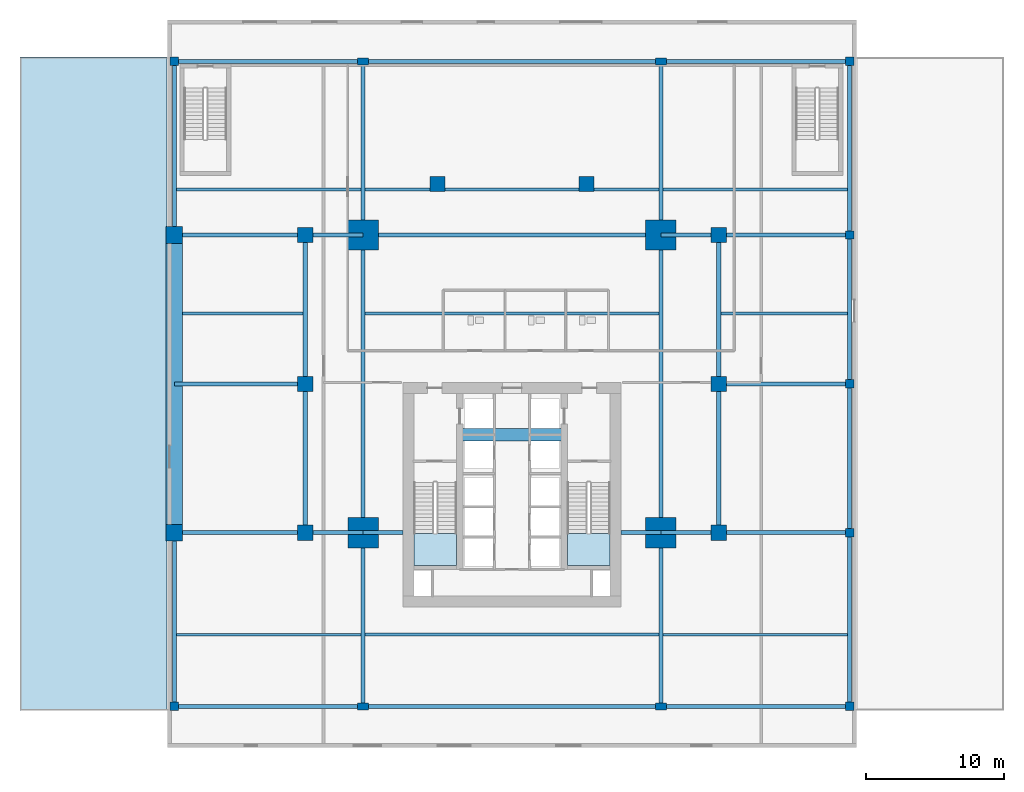
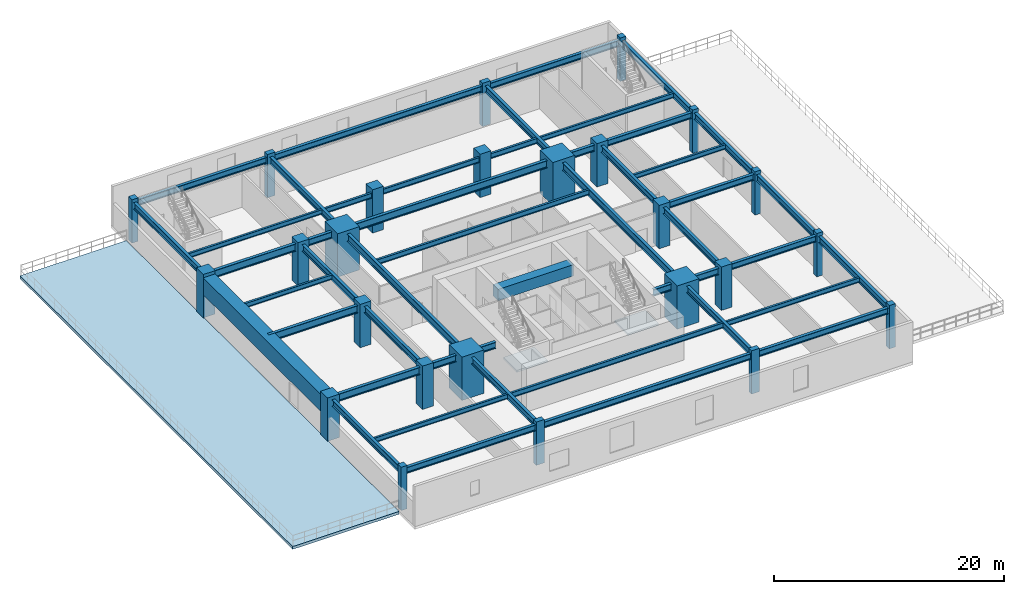
# One storey, part 1 of 9: 46 beams, 25 columns, 3 slabs, 2 elements without a shape of their own.
"""IFC4 building model written with IfcOpenShell, lengths in metres."""

import ifcopenshell
import ifcopenshell.guid

model = None  # the IFC model being written
_history = None  # IfcOwnerHistory: only IFC2X3 demands one
_inside = {}  # id of a spatial element -> (the spatial element, [elements in it])
_under = {}  # id of a project, library or spatial element -> (it, [spatial elements below it])
_declared = {}  # id of a project -> (the project, [libraries it declares])
_typed = {}  # id of a type object -> (the type object, [elements of that type])
_made_of = {}  # id of a material, layer set ... -> (it, [elements and type objects made of it])


def new_model(schema):
    """Start an empty IFC model of exactly this schema.

    Asked for "IFC4X3", IfcOpenShell would pick the latest addendum, in which some entities
    have other attributes; the version numbers below select the first issue.
    IFC2X3 requires an IfcOwnerHistory on every rooted entity: one is made here for all.
    """
    global model, _history
    if schema == "IFC4X3":
        model = ifcopenshell.file(schema_version=(4, 3, 0, 0))
    else:
        model = ifcopenshell.file(schema=schema)
    _inside.clear()
    _under.clear()
    _declared.clear()
    _typed.clear()
    _made_of.clear()
    _history = None
    if model.schema == "IFC2X3":
        org = make("IfcOrganization", Name="unknown")
        user = make(
            "IfcPersonAndOrganization",
            ThePerson=make("IfcPerson", FamilyName="unknown"),
            TheOrganization=org,
        )
        app = make(
            "IfcApplication",
            ApplicationDeveloper=org,
            Version="unknown",
            ApplicationFullName="unknown",
            ApplicationIdentifier="unknown",
        )
        _history = make(
            "IfcOwnerHistory",
            OwningUser=user,
            OwningApplication=app,
            ChangeAction="ADDED",
            CreationDate=0,
        )
    return model


def make(cls, **values):
    """One entity of the class cls with the attributes given. An attribute that is None is left unset."""
    return model.create_entity(
        cls, **{name: value for name, value in values.items() if value is not None}
    )


def rooted(cls, **values):
    """An entity with a GlobalId (a new one), such as an element, a storey or a relation."""
    return make(cls, GlobalId=ifcopenshell.guid.new(), OwnerHistory=_history, **values)


def si_unit(unit_type, name, prefix=None):
    """IfcSIUnit, for example si_unit("LENGTHUNIT", "METRE", prefix="MILLI")."""
    return make("IfcSIUnit", UnitType=unit_type, Prefix=prefix, Name=name)


def assignment(units):
    """IfcUnitAssignment: the units of a project."""
    return None if units is None else make("IfcUnitAssignment", Units=units)


def point(xyz):
    """IfcCartesianPoint."""
    return None if xyz is None else make("IfcCartesianPoint", Coordinates=xyz)


def direction(xyz):
    """IfcDirection."""
    return None if xyz is None else make("IfcDirection", DirectionRatios=xyz)


def frame(location, z_axis=None, x_axis=None):
    """IfcAxis2Placement3D, a coordinate frame: its origin and axes. An axis left out is left unset."""
    return make(
        "IfcAxis2Placement3D",
        Location=point(location),
        Axis=direction(z_axis),
        RefDirection=direction(x_axis),
    )


def frame_2d(location, x_axis=None):
    """IfcAxis2Placement2D, a coordinate frame in the plane: its origin and x axis."""
    return make(
        "IfcAxis2Placement2D", Location=point(location), RefDirection=direction(x_axis)
    )


def origin():
    """The frame at (0, 0, 0) with its axes left unset."""
    return frame((0.0, 0.0, 0.0))


def origin_2d():
    """The frame at (0, 0) in the plane with its x axis left unset."""
    return frame_2d((0.0, 0.0))


def place(relative_to, where):
    """IfcLocalPlacement: puts the frame where relative to a parent placement (None: the world)."""
    return make(
        "IfcLocalPlacement", PlacementRelTo=relative_to, RelativePlacement=where
    )


def context(
    kind, dimensions, precision=None, world=None, true_north=None, identifier=None
):
    """IfcGeometricRepresentationContext, for example the 3D "Model" context."""
    return make(
        "IfcGeometricRepresentationContext",
        ContextIdentifier=identifier,
        ContextType=kind,
        CoordinateSpaceDimension=dimensions,
        Precision=precision,
        WorldCoordinateSystem=world,
        TrueNorth=true_north,
    )


def subcontext(parent, identifier, kind, view, scale=None):
    """IfcGeometricRepresentationSubContext, for example "Body" below "Model"."""
    return make(
        "IfcGeometricRepresentationSubContext",
        ContextIdentifier=identifier,
        ContextType=kind,
        ParentContext=parent,
        TargetScale=scale,
        TargetView=view,
    )


def project(units=None, contexts=None):
    """IfcProject with its units and contexts."""
    return rooted(
        "IfcProject",
        Name="project",
        RepresentationContexts=contexts,
        UnitsInContext=assignment(units),
    )


def spatial(cls, under=None, at=None, **own):
    """A site, building, storey or space (cls), placed at a placement, below another one or the project."""
    s = rooted(cls, ObjectPlacement=at, **own)
    if under is not None:
        _under.setdefault(under.id(), (under, []))[1].append(s)
    return s


def polyline(points):
    """IfcPolyline through the points."""
    return make("IfcPolyline", Points=[point(p) for p in points])


def profile(cls, at=None, kind="AREA", **sizes):
    """A parametric profile (cls). Its sizes go by their IFC names, for example OverallWidth=200.0."""
    return make(cls, ProfileType=kind, Position=at, **sizes)


def rectangle(**sizes):
    """IfcRectangleProfileDef."""
    return profile("IfcRectangleProfileDef", **sizes)


def i_section(**sizes):
    """IfcIShapeProfileDef."""
    return profile("IfcIShapeProfileDef", **sizes)


def outline(outer, holes=None, kind="AREA"):
    """IfcArbitraryClosedProfileDef: a profile drawn as a closed curve; with holes, ...WithVoids."""
    if holes is None:
        return make("IfcArbitraryClosedProfileDef", ProfileType=kind, OuterCurve=outer)
    return make(
        "IfcArbitraryProfileDefWithVoids",
        ProfileType=kind,
        OuterCurve=outer,
        InnerCurves=holes,
    )


def extrude(swept, where, along, depth):
    """IfcExtrudedAreaSolid: the profile swept, set in the frame where, extruded along a direction by depth."""
    return make(
        "IfcExtrudedAreaSolid",
        SweptArea=swept,
        Position=where,
        ExtrudedDirection=direction(along),
        Depth=depth,
    )


def shape(context_of_items, identifier, shape_type, items):
    """IfcShapeRepresentation: the items that make up one representation, for example the "Body"."""
    return make(
        "IfcShapeRepresentation",
        ContextOfItems=context_of_items,
        RepresentationIdentifier=identifier,
        RepresentationType=shape_type,
        Items=items,
    )


def source(mapping_origin, context_of_items, identifier, shape_type, items):
    """IfcRepresentationMap: a shape defined once, which mapped items show again and again."""
    return make(
        "IfcRepresentationMap",
        MappingOrigin=mapping_origin,
        MappedRepresentation=shape(context_of_items, identifier, shape_type, items),
    )


def transform(
    local_origin,
    x_axis=None,
    y_axis=None,
    z_axis=None,
    scale=None,
    scale2=None,
    scale3=None,
    uniform=True,
):
    """IfcCartesianTransformationOperator3D, or its non-uniform kind. x_axis, y_axis, z_axis: its Axis1, 2, 3."""
    if uniform:
        return make(
            "IfcCartesianTransformationOperator3D",
            Axis1=direction(x_axis),
            Axis2=direction(y_axis),
            LocalOrigin=point(local_origin),
            Scale=scale,
            Axis3=direction(z_axis),
        )
    return make(
        "IfcCartesianTransformationOperator3DnonUniform",
        Axis1=direction(x_axis),
        Axis2=direction(y_axis),
        LocalOrigin=point(local_origin),
        Scale=scale,
        Axis3=direction(z_axis),
        Scale2=scale2,
        Scale3=scale3,
    )


def mapped(mapping_source, mapping_target):
    """IfcMappedItem: shows the shape of a source again, moved by a transform."""
    return make(
        "IfcMappedItem", MappingSource=mapping_source, MappingTarget=mapping_target
    )


def material(Name=None, Category=None):
    """IfcMaterial."""
    return make("IfcMaterial", Name=Name, Category=Category)


def layer(
    of_material, thickness, ventilated=None, Name=None, Category=None, Priority=None
):
    """IfcMaterialLayer: one layer of a wall or slab, of a material (None: an air gap)."""
    return make(
        "IfcMaterialLayer",
        Material=of_material,
        LayerThickness=thickness,
        IsVentilated=ventilated,
        Name=Name,
        Category=Category,
        Priority=Priority,
    )


def layer_set(layers, Name=None):
    """IfcMaterialLayerSet."""
    return make("IfcMaterialLayerSet", MaterialLayers=layers, LayerSetName=Name)


def material_profile(
    of_material, cross_section, Name=None, Category=None, Priority=None
):
    """IfcMaterialProfile: a cross section and its material."""
    return make(
        "IfcMaterialProfile",
        Name=Name,
        Material=of_material,
        Profile=cross_section,
        Priority=Priority,
        Category=Category,
    )


def profile_set(profiles, Name=None, composite=None):
    """IfcMaterialProfileSet."""
    return make(
        "IfcMaterialProfileSet",
        Name=Name,
        MaterialProfiles=profiles,
        CompositeProfile=composite,
    )


def made_of(thing, what):
    """Note that an element or type object is made of a material, layer set ...; save() writes the relation."""
    if what is not None:
        _made_of.setdefault(what.id(), (what, []))[1].append(thing)
    return thing


def type_object(cls, material=None, **own):
    """A type object (cls), such as IfcWallType, which elements share."""
    return made_of(rooted(cls, **own), material)


def type_shapes(of_type, sources):
    """Give a type object the sources (RepresentationMaps) that its elements show as mapped items."""
    of_type.RepresentationMaps = sources


def element(
    cls,
    number,
    at=None,
    inside=None,
    cuts=None,
    type_object=None,
    material=None,
    context=None,
    identifier="Body",
    shape_type=None,
    held_by="IfcProductDefinitionShape",
    body=None,
    shapes=None,
    **own,
):
    """One element of the class cls, such as IfcWall. Its Tag is "e" and its number.

    at: its placement. inside: the storey or other place that contains it. cuts: it is an
    opening in that element (IfcRelVoidsElement). A single representation is given by context,
    identifier, shape_type and body (its items); several are given by shapes. held_by: the class
    of the entity that holds the representations. save() writes the other relations.
    """
    e = rooted(cls, Tag="e%d" % number, ObjectPlacement=at, **own)
    if body is not None:
        shapes = [shape(context, identifier, shape_type, body)]
    if shapes is not None:
        e.Representation = make(held_by, Representations=shapes)
    if inside is not None:
        _inside.setdefault(inside.id(), (inside, []))[1].append(e)
    if cuts is not None:
        rooted(
            "IfcRelVoidsElement", RelatingBuildingElement=cuts, RelatedOpeningElement=e
        )
    if type_object is not None:
        _typed.setdefault(type_object.id(), (type_object, []))[1].append(e)
    return made_of(e, material)


def aggregate(whole, parts):
    """IfcRelAggregates: a whole, such as a stair, and the parts it consists of."""
    return rooted("IfcRelAggregates", RelatingObject=whole, RelatedObjects=parts)


def save(model, path):
    """Write the relations noted so far, then the file.

    IfcRelAggregates (storeys below a building ...), IfcRelContainedInSpatialStructure (elements
    in a storey), IfcRelDefinesByType, IfcRelAssociatesMaterial and IfcRelDeclares: one each for
    every whole, place, type object, material and project.
    """
    for whole, parts in _under.values():
        aggregate(whole, parts)
    for where, things in _inside.values():
        rooted(
            "IfcRelContainedInSpatialStructure",
            RelatedElements=things,
            RelatingStructure=where,
        )
    for kind, things in _typed.values():
        rooted("IfcRelDefinesByType", RelatedObjects=things, RelatingType=kind)
    for what, things in _made_of.values():
        rooted("IfcRelAssociatesMaterial", RelatedObjects=things, RelatingMaterial=what)
    for by, libraries in _declared.values():
        rooted("IfcRelDeclares", RelatingContext=by, RelatedDefinitions=libraries)
    model.write(path)


model = new_model("IFC4")

# Units and contexts
model_context = context("Model", 3, precision=1e-05, world=origin(), true_north=direction((0.0, 1.0)))
body_context = subcontext(model_context, "Body", "Model", "MODEL_VIEW")
ifc_project = project(units=[si_unit("LENGTHUNIT", "METRE"), si_unit("AREAUNIT", "SQUARE_METRE"), si_unit("VOLUMEUNIT", "CUBIC_METRE"), si_unit("PLANEANGLEUNIT", "RADIAN"), si_unit("MASSUNIT", "GRAM", prefix="KILO")], contexts=[model_context])

# Site, building, storey
site_placement = place(None, origin())
site = spatial("IfcSite", under=ifc_project, at=site_placement, CompositionType="ELEMENT")
building_placement = place(site_placement, origin())
building = spatial("IfcBuilding", under=site, at=building_placement, Name="Krantzveldt Concourse Tower", CompositionType="ELEMENT")
storey_placement = place(building_placement, frame((0.0, 0.0, 15.39990234375)))
storey = spatial("IfcBuildingStorey", under=building, at=storey_placement, Name="L03", CompositionType="ELEMENT", Elevation=15.39990234375)

# Columns
ifc_material_1 = material(Name="Concrete C60/75", Category="concrete")
ifc_material_profile_1 = material_profile(ifc_material_1, rectangle(XDim=2.199951171875, YDim=2.199951171875, at=origin_2d()), Name="Concrete C60/75", Category="concrete")
ifc_profile_set_1 = profile_set([ifc_material_profile_1], Name="Concrete C60/75 - RC 2200x2200")
column_type_1 = type_object("IfcColumnType", Name="COL-MC-2200", PredefinedType="USERDEFINED", material=ifc_profile_set_1)
shared_shape_1 = source(origin(), body_context, "Body", "SweptSolid", [
    extrude(rectangle(XDim=2.199951171875, YDim=2.199951171875, at=origin_2d()), origin(), (0.0, 0.0, 1.0), 4.60009765625),
])
type_shapes(column_type_1, [shared_shape_1])
for number, where, z_axis, x_axis, name in (
    (1, (25.199951171875, 15.89990234375, 0.0), (0.0, 0.0, 1.0), (1.0, 0.0, 0.0), "MC-SW-L03"),
    (2, (46.800048828125, 15.89990234375, 0.0), (0.0, 0.0, 1.0), (1.0, 0.0, 0.0), "MC-SE-L03"),
    (3, (46.800048828125, 37.5, 0.0), (0.0, 0.0, 1.0), (1.0, 0.0, 0.0), "MC-NE-L03"),
    (4, (25.199951171875, 37.5, 0.0), (0.0, 0.0, 1.0), (1.0, 0.0, 0.0), "MC-NW-L03"),
):
    element("IfcColumn", number, at=place(storey_placement, frame(where, z_axis=z_axis, x_axis=x_axis)), inside=storey, type_object=column_type_1, Name=name, ObjectType="MEGA COLUMN", PredefinedType="USERDEFINED", context=body_context, shape_type="MappedRepresentation", body=[
        mapped(shared_shape_1, transform((0.0, 0.0, 0.0), x_axis=(1.0, 0.0, 0.0), y_axis=(0.0, 1.0, 0.0), z_axis=(0.0, 0.0, 1.0), scale=1.0)),
    ])
ifc_material_profile_2 = material_profile(ifc_material_1, rectangle(XDim=1.10009765625, YDim=1.10009765625, at=origin_2d()), Name="Concrete C60/75", Category="concrete")
ifc_profile_set_2 = profile_set([ifc_material_profile_2], Name="Concrete C60/75 - RC 1100x1100")
column_type_2 = type_object("IfcColumnType", Name="COL-C-Z1", PredefinedType="COLUMN", material=ifc_profile_set_2)
shared_shape_2 = source(origin(), body_context, "Body", "SweptSolid", [
    extrude(rectangle(XDim=1.10009765625, YDim=1.10009765625, at=origin_2d()), origin(), (0.0, 0.0, 1.0), 4.60009765625),
])
type_shapes(column_type_2, [shared_shape_2])
for number, where, z_axis, x_axis, name in (
    (5, (21.0, 15.89990234375, 0.0), (0.0, 0.0, 1.0), (1.0, 0.0, 0.0), "PC-R01-L03"),
    (6, (21.0, 26.699951171875, 0.0), (0.0, 0.0, 1.0), (1.0, 0.0, 0.0), "PC-R02-L03"),
    (7, (21.0, 37.5, 0.0), (0.0, 0.0, 1.0), (1.0, 0.0, 0.0), "PC-R03-L03"),
    (8, (30.60009765625, 41.199951171875, 0.0), (0.0, 0.0, 1.0), (1.0, 0.0, 0.0), "PC-R04-L03"),
    (9, (41.39990234375, 41.199951171875, 0.0), (0.0, 0.0, 1.0), (1.0, 0.0, 0.0), "PC-R05-L03"),
    (10, (51.0, 37.5, 0.0), (0.0, 0.0, 1.0), (1.0, 0.0, 0.0), "PC-R06-L03"),
    (11, (51.0, 26.699951171875, 0.0), (0.0, 0.0, 1.0), (1.0, 0.0, 0.0), "PC-R07-L03"),
    (12, (51.0, 15.89990234375, 0.0), (0.0, 0.0, 1.0), (1.0, 0.0, 0.0), "PC-R08-L03"),
):
    element("IfcColumn", number, at=place(storey_placement, frame(where, z_axis=z_axis, x_axis=x_axis)), inside=storey, type_object=column_type_2, Name=name, PredefinedType="COLUMN", context=body_context, shape_type="MappedRepresentation", body=[
        mapped(shared_shape_2, transform((0.0, 0.0, 0.0), x_axis=(1.0, 0.0, 0.0), y_axis=(0.0, 1.0, 0.0), z_axis=(0.0, 0.0, 1.0), scale=1.0)),
    ])
ifc_material_2 = material(Name="Concrete C50/60", Category="concrete")
ifc_material_profile_3 = material_profile(ifc_material_2, rectangle(XDim=1.199951171875, YDim=1.199951171875, at=origin_2d()), Name="Concrete C50/60", Category="concrete")
ifc_profile_set_3 = profile_set([ifc_material_profile_3], Name="Concrete C50/60 - RC 1200x1200")
column_type_3 = type_object("IfcColumnType", Name="COL-MC-1200", PredefinedType="USERDEFINED", material=ifc_profile_set_3)
shared_shape_3 = source(origin(), body_context, "Body", "SweptSolid", [
    extrude(rectangle(XDim=1.199951171875, YDim=1.199951171875, at=origin_2d()), origin(), (0.0, 0.0, 1.0), 4.60009765625),
])
type_shapes(column_type_3, [shared_shape_3])
for number, where, z_axis, x_axis, name in (
    (13, (11.5, 15.89990234375, 0.0), (0.0, 0.0, 1.0), (1.0, 0.0, 0.0), "PC-IW1-L03"),
    (14, (11.5, 37.5, 0.0), (0.0, 0.0, 1.0), (1.0, 0.0, 0.0), "PC-IW3-L03"),
):
    element("IfcColumn", number, at=place(storey_placement, frame(where, z_axis=z_axis, x_axis=x_axis)), inside=storey, type_object=column_type_3, Name=name, ObjectType="MEGA COLUMN", PredefinedType="USERDEFINED", context=body_context, shape_type="MappedRepresentation", body=[
        mapped(shared_shape_3, transform((0.0, 0.0, 0.0), x_axis=(1.0, 0.0, 0.0), y_axis=(0.0, 1.0, 0.0), z_axis=(0.0, 0.0, 1.0), scale=1.0)),
    ])
ifc_material_3 = material(Name="Concrete C40/50", Category="concrete")
ifc_material_profile_4 = material_profile(ifc_material_3, rectangle(XDim=0.60009765625, YDim=0.60009765625, at=origin_2d()), Name="Concrete C40/50", Category="concrete")
ifc_profile_set_4 = profile_set([ifc_material_profile_4], Name="Concrete C40/50 - RC 600x600")
column_type_4 = type_object("IfcColumnType", Name="COL-C-POD", PredefinedType="COLUMN", material=ifc_profile_set_4)
shared_shape_4 = source(origin(), body_context, "Body", "SweptSolid", [
    extrude(rectangle(XDim=0.60009765625, YDim=0.60009765625, at=origin_2d()), origin(), (0.0, 0.0, 1.0), 4.60009765625),
])
type_shapes(column_type_4, [shared_shape_4])
for number, where, z_axis, x_axis, name in (
    (15, (11.5, 50.10009765625, 0.0), (0.0, 0.0, 1.0), (1.0, 0.0, 0.0), "PC-IW4-L03"),
    (16, (11.5, 3.300048828125, 0.0), (0.0, 0.0, 1.0), (1.0, 0.0, 0.0), "PC-IWS-L03"),
    (17, (60.5, 15.89990234375, 0.0), (0.0, 0.0, 1.0), (1.0, 0.0, 0.0), "PC-IE1-L03"),
    (18, (60.5, 26.699951171875, 0.0), (0.0, 0.0, 1.0), (1.0, 0.0, 0.0), "PC-IE2-L03"),
    (19, (60.5, 37.5, 0.0), (0.0, 0.0, 1.0), (1.0, 0.0, 0.0), "PC-IE3-L03"),
    (20, (60.5, 50.10009765625, 0.0), (0.0, 0.0, 1.0), (1.0, 0.0, 0.0), "PC-IE4-L03"),
    (21, (60.5, 3.300048828125, 0.0), (0.0, 0.0, 1.0), (1.0, 0.0, 0.0), "PC-IES-L03"),
):
    element("IfcColumn", number, at=place(storey_placement, frame(where, z_axis=z_axis, x_axis=x_axis)), inside=storey, type_object=column_type_4, Name=name, PredefinedType="COLUMN", context=body_context, shape_type="MappedRepresentation", body=[
        mapped(shared_shape_4, transform((0.0, 0.0, 0.0), x_axis=(1.0, 0.0, 0.0), y_axis=(0.0, 1.0, 0.0), z_axis=(0.0, 0.0, 1.0), scale=1.0)),
    ])
ifc_material_profile_5 = material_profile(ifc_material_2, rectangle(XDim=0.800048828125, YDim=0.5, at=origin_2d()), Name="Concrete C50/60", Category="concrete")
ifc_profile_set_5 = profile_set([ifc_material_profile_5], Name="Concrete C50/60 - RC-PIL 800x500")
column_type_5 = type_object("IfcColumnType", Name="COL-PIL-800", PredefinedType="PILASTER", material=ifc_profile_set_5)
shared_shape_5 = source(origin(), body_context, "Body", "SweptSolid", [
    extrude(rectangle(XDim=0.800048828125, YDim=0.5, at=origin_2d()), origin(), (0.0, 0.0, 1.0), 4.60009765625),
])
type_shapes(column_type_5, [shared_shape_5])
for number, where, z_axis, x_axis, name in (
    (22, (25.199951171875, 3.300048828125, 0.0), (0.0, 0.0, 1.0), (1.0, 0.0, 0.0), "PC-PIL1-L03"),
    (23, (46.800048828125, 3.300048828125, 0.0), (0.0, 0.0, 1.0), (1.0, 0.0, 0.0), "PC-PIL2-L03"),
    (24, (25.199951171875, 50.10009765625, 0.0), (0.0, 0.0, 1.0), (1.0, 0.0, 0.0), "PC-PIL3-L03"),
    (25, (46.800048828125, 50.10009765625, 0.0), (0.0, 0.0, 1.0), (1.0, 0.0, 0.0), "PC-PIL4-L03"),
):
    element("IfcColumn", number, at=place(storey_placement, frame(where, z_axis=z_axis, x_axis=x_axis)), inside=storey, type_object=column_type_5, Name=name, PredefinedType="PILASTER", context=body_context, shape_type="MappedRepresentation", body=[
        mapped(shared_shape_5, transform((0.0, 0.0, 0.0), x_axis=(1.0, 0.0, 0.0), y_axis=(0.0, 1.0, 0.0), z_axis=(0.0, 0.0, 1.0), scale=1.0)),
    ])

# Beams
ifc_material_profile_6 = material_profile(ifc_material_2, rectangle(XDim=0.89990234375, YDim=1.199951171875, at=origin_2d()), Name="Concrete C50/60", Category="concrete")
ifc_profile_set_6 = profile_set([ifc_material_profile_6], Name="Concrete C50/60 - RC-CB 900x1200")
beam_type_1 = type_object("IfcBeamType", Name="BM-CB-1200", PredefinedType="LINTEL", material=ifc_profile_set_6)
shared_shape_6 = source(origin(), body_context, "Body", "SweptSolid", [
    extrude(rectangle(XDim=0.89990234375, YDim=1.199951171875, at=origin_2d()), origin(), (0.0, 0.0, 1.0), 7.580078125),
])
type_shapes(beam_type_1, [shared_shape_6])
beam_1_placement = place(storey_placement, frame((32.2099609375, 23.0, 3.650146484375), z_axis=(1.0, 0.0, 0.0), x_axis=(0.0, 1.0, 0.0)))
element("IfcBeam", 26, at=beam_1_placement, inside=storey, type_object=beam_type_1, Name="CB-L03-01", PredefinedType="LINTEL", context=body_context, shape_type="MappedRepresentation", body=[
    mapped(shared_shape_6, transform((0.0, 0.0, 0.0), x_axis=(1.0, 0.0, 0.0), y_axis=(0.0, 1.0, 0.0), z_axis=(0.0, 0.0, 1.0), scale=1.0)),
])
ifc_material_4 = material(Name="Steel S355J2", Category="steel")
ifc_material_profile_7 = material_profile(ifc_material_4, i_section(OverallWidth=0.300048828125, OverallDepth=0.800048828125, WebThickness=0.017578125, FlangeThickness=0.032958984375, FilletRadius=0.030029296875, at=origin_2d()), Name="Steel S355J2", Category="steel")
ifc_profile_set_7 = profile_set([ifc_material_profile_7], Name="Steel S355J2 - HEB 800")
beam_type_2 = type_object("IfcBeamType", Name="BM-B-HEB800", PredefinedType="BEAM", material=ifc_profile_set_7)
shared_shape_7 = source(origin(), body_context, "Body", "SweptSolid", [
    extrude(i_section(OverallWidth=0.300048828125, OverallDepth=0.800048828125, WebThickness=0.017578125, FlangeThickness=0.032958984375, FilletRadius=0.030029296875, at=origin_2d()), origin(), (0.0, 0.0, 1.0), 21.60009765625),
])
for number, where, z_axis, x_axis, name in (
    (27, (25.199951171875, 37.5, 3.85009765625), (1.0, 0.0, 0.0), (0.0, 1.0, 0.0), "L03 Podium Primary Girder BG-MN"),
    (28, (25.199951171875, 15.89990234375, 3.85009765625), (0.0, 1.0, 0.0), (-1.0, 0.0, 0.0), "L03 Podium Primary Girder BG-MW"),
    (29, (46.800048828125, 15.89990234375, 3.85009765625), (0.0, 1.0, 0.0), (-1.0, 0.0, 0.0), "L03 Podium Primary Girder BG-ME"),
):
    element("IfcBeam", number, at=place(storey_placement, frame(where, z_axis=z_axis, x_axis=x_axis)), inside=storey, type_object=beam_type_2, Name=name, PredefinedType="BEAM", context=body_context, shape_type="MappedRepresentation", body=[
        mapped(shared_shape_7, transform((0.0, 0.0, 0.0), x_axis=(1.0, 0.0, 0.0), y_axis=(0.0, 1.0, 0.0), z_axis=(0.0, 0.0, 1.0), scale=1.0)),
    ])
ifc_material_5 = material(Name="Steel S355JR", Category="steel")
ifc_material_profile_8 = material_profile(ifc_material_5, i_section(OverallWidth=0.300048828125, OverallDepth=0.68994140625, WebThickness=0.014404296875, FlangeThickness=0.027099609375, FilletRadius=0.027099609375, at=origin_2d()), Name="Steel S355JR", Category="steel")
ifc_profile_set_8 = profile_set([ifc_material_profile_8], Name="Steel S355JR - HEA 700")
beam_type_3 = type_object("IfcBeamType", Name="BM-B-HEA700", PredefinedType="BEAM", material=ifc_profile_set_8)
shared_shape_8 = source(origin(), body_context, "Body", "SweptSolid", [
    extrude(i_section(OverallWidth=0.300048828125, OverallDepth=0.68994140625, WebThickness=0.014404296875, FlangeThickness=0.027099609375, FilletRadius=0.027099609375, at=origin_2d()), origin(), (0.0, 0.0, 1.0), 10.800048828125),
])
for number, where, z_axis, x_axis, name in (
    (30, (21.0, 15.89990234375, 3.905029296875), (0.0, 1.0, 0.0), (-1.0, 0.0, 0.0), "L03 Podium Primary Girder BG-RW1"),
    (31, (21.0, 26.699951171875, 3.905029296875), (0.0, 1.0, 0.0), (-1.0, 0.0, 0.0), "L03 Podium Primary Girder BG-RW2"),
    (32, (51.0, 15.89990234375, 3.905029296875), (0.0, 1.0, 0.0), (-1.0, 0.0, 0.0), "L03 Podium Primary Girder BG-RE1"),
    (33, (51.0, 26.699951171875, 3.905029296875), (0.0, 1.0, 0.0), (-1.0, 0.0, 0.0), "L03 Podium Primary Girder BG-RE2"),
    (34, (60.5, 15.89990234375, 3.905029296875), (0.0, 1.0, 0.0), (-1.0, 0.0, 0.0), "L03 Podium Primary Girder BG-IE-2"),
    (35, (60.5, 26.699951171875, 3.905029296875), (0.0, 1.0, 0.0), (-1.0, 0.0, 0.0), "L03 Podium Primary Girder BG-IE-3"),
):
    element("IfcBeam", number, at=place(storey_placement, frame(where, z_axis=z_axis, x_axis=x_axis)), inside=storey, type_object=beam_type_3, Name=name, PredefinedType="BEAM", context=body_context, shape_type="MappedRepresentation", body=[
        mapped(shared_shape_8, transform((0.0, 0.0, 0.0), x_axis=(1.0, 0.0, 0.0), y_axis=(0.0, 1.0, 0.0), z_axis=(0.0, 0.0, 1.0), scale=1.0)),
    ])
ifc_material_profile_9 = material_profile(ifc_material_4, i_section(OverallWidth=0.300048828125, OverallDepth=0.699951171875, WebThickness=0.01708984375, FlangeThickness=0.031982421875, FilletRadius=0.027099609375, at=origin_2d()), Name="Steel S355J2", Category="steel")
ifc_profile_set_9 = profile_set([ifc_material_profile_9], Name="Steel S355J2 - HEB 700")
beam_type_4 = type_object("IfcBeamType", Name="BM-B-HEB700", PredefinedType="BEAM", material=ifc_profile_set_9)
shared_shape_9 = source(origin(), body_context, "Body", "SweptSolid", [
    extrude(i_section(OverallWidth=0.300048828125, OverallDepth=0.699951171875, WebThickness=0.01708984375, FlangeThickness=0.031982421875, FilletRadius=0.027099609375, at=origin_2d()), origin(), (0.0, 0.0, 1.0), 4.199951171875),
])
for number, where, z_axis, x_axis, name in (
    (36, (21.0, 15.89990234375, 3.900146484375), (1.0, 0.0, 0.0), (0.0, 1.0, 0.0), "L03 Podium Primary Girder BG-RL1"),
    (37, (21.0, 37.5, 3.900146484375), (1.0, 0.0, 0.0), (0.0, 1.0, 0.0), "L03 Podium Primary Girder BG-RL3"),
    (38, (46.800048828125, 15.89990234375, 3.900146484375), (1.0, 0.0, 0.0), (0.0, 1.0, 0.0), "L03 Podium Primary Girder BG-RR1"),
    (39, (46.800048828125, 37.5, 3.900146484375), (1.0, 0.0, 0.0), (0.0, 1.0, 0.0), "L03 Podium Primary Girder BG-RR3"),
):
    element("IfcBeam", number, at=place(storey_placement, frame(where, z_axis=z_axis, x_axis=x_axis)), inside=storey, type_object=beam_type_4, Name=name, PredefinedType="BEAM", context=body_context, shape_type="MappedRepresentation", body=[
        mapped(shared_shape_9, transform((0.0, 0.0, 0.0), x_axis=(1.0, 0.0, 0.0), y_axis=(0.0, 1.0, 0.0), z_axis=(0.0, 0.0, 1.0), scale=1.0)),
    ])
shared_shape_10 = source(origin(), body_context, "Body", "SweptSolid", [
    extrude(i_section(OverallWidth=0.300048828125, OverallDepth=0.699951171875, WebThickness=0.01708984375, FlangeThickness=0.031982421875, FilletRadius=0.027099609375, at=origin_2d()), origin(), (0.0, 0.0, 1.0), 2.880126953125),
])
type_shapes(beam_type_4, [shared_shape_9, shared_shape_10])
for number, where, z_axis, x_axis, name in (
    (40, (25.199951171875, 15.89990234375, 3.900146484375), (1.0, 0.0, 0.0), (0.0, 1.0, 0.0), "L03 Podium Primary Girder BG-CW"),
    (41, (43.919921875, 15.89990234375, 3.900146484375), (1.0, 0.0, 0.0), (0.0, 1.0, 0.0), "L03 Podium Primary Girder BG-CE"),
):
    element("IfcBeam", number, at=place(storey_placement, frame(where, z_axis=z_axis, x_axis=x_axis)), inside=storey, type_object=beam_type_4, Name=name, PredefinedType="BEAM", context=body_context, shape_type="MappedRepresentation", body=[
        mapped(shared_shape_10, transform((0.0, 0.0, 0.0), x_axis=(1.0, 0.0, 0.0), y_axis=(0.0, 1.0, 0.0), z_axis=(0.0, 0.0, 1.0), scale=1.0)),
    ])
shared_shape_11 = source(origin(), body_context, "Body", "SweptSolid", [
    extrude(i_section(OverallWidth=0.300048828125, OverallDepth=0.68994140625, WebThickness=0.014404296875, FlangeThickness=0.027099609375, FilletRadius=0.027099609375, at=origin_2d()), origin(), (0.0, 0.0, 1.0), 12.60009765625),
])
for number, where, z_axis, x_axis, name in (
    (42, (25.199951171875, 37.5, 3.905029296875), (0.0, 1.0, 0.0), (-1.0, 0.0, 0.0), "L03 Podium Primary Girder BG-PN1"),
    (43, (46.800048828125, 37.5, 3.905029296875), (0.0, 1.0, 0.0), (-1.0, 0.0, 0.0), "L03 Podium Primary Girder BG-PN2"),
    (44, (11.5, 37.5, 3.905029296875), (0.0, 1.0, 0.0), (-1.0, 0.0, 0.0), "L03 Podium Primary Girder BG-IW-3"),
    (45, (60.5, 37.5, 3.905029296875), (0.0, 1.0, 0.0), (-1.0, 0.0, 0.0), "L03 Podium Primary Girder BG-IE-4"),
):
    element("IfcBeam", number, at=place(storey_placement, frame(where, z_axis=z_axis, x_axis=x_axis)), inside=storey, type_object=beam_type_3, Name=name, PredefinedType="BEAM", context=body_context, shape_type="MappedRepresentation", body=[
        mapped(shared_shape_11, transform((0.0, 0.0, 0.0), x_axis=(1.0, 0.0, 0.0), y_axis=(0.0, 1.0, 0.0), z_axis=(0.0, 0.0, 1.0), scale=1.0)),
    ])
shared_shape_12 = source(origin(), body_context, "Body", "SweptSolid", [
    extrude(i_section(OverallWidth=0.300048828125, OverallDepth=0.68994140625, WebThickness=0.014404296875, FlangeThickness=0.027099609375, FilletRadius=0.027099609375, at=origin_2d()), origin(), (0.0, 0.0, 1.0), 12.599853515625),
])
type_shapes(beam_type_3, [shared_shape_8, shared_shape_11, shared_shape_12])
for number, where, z_axis, x_axis, name in (
    (46, (25.199951171875, 3.300048828125, 3.905029296875), (0.0, 1.0, 0.0), (-1.0, 0.0, 0.0), "L03 Podium Primary Girder BG-PS1"),
    (47, (46.800048828125, 3.300048828125, 3.905029296875), (0.0, 1.0, 0.0), (-1.0, 0.0, 0.0), "L03 Podium Primary Girder BG-PS2"),
    (48, (11.5, 3.300048828125, 3.905029296875), (0.0, 1.0, 0.0), (-1.0, 0.0, 0.0), "L03 Podium Primary Girder BG-IW-1"),
    (49, (60.5, 3.300048828125, 3.905029296875), (0.0, 1.0, 0.0), (-1.0, 0.0, 0.0), "L03 Podium Primary Girder BG-IE-1"),
):
    element("IfcBeam", number, at=place(storey_placement, frame(where, z_axis=z_axis, x_axis=x_axis)), inside=storey, type_object=beam_type_3, Name=name, PredefinedType="BEAM", context=body_context, shape_type="MappedRepresentation", body=[
        mapped(shared_shape_12, transform((0.0, 0.0, 0.0), x_axis=(1.0, 0.0, 0.0), y_axis=(0.0, 1.0, 0.0), z_axis=(0.0, 0.0, 1.0), scale=1.0)),
    ])
ifc_material_profile_10 = material_profile(ifc_material_5, i_section(OverallWidth=0.300048828125, OverallDepth=0.639892578125, WebThickness=0.013427734375, FlangeThickness=0.02587890625, FilletRadius=0.027099609375, at=origin_2d()), Name="Steel S355JR", Category="steel")
ifc_profile_set_10 = profile_set([ifc_material_profile_10], Name="Steel S355JR - HEA 650")
beam_type_5 = type_object("IfcBeamType", Name="BM-B-HEA650", PredefinedType="BEAM", material=ifc_profile_set_10)
shared_shape_13 = source(origin(), body_context, "Body", "SweptSolid", [
    extrude(i_section(OverallWidth=0.300048828125, OverallDepth=0.639892578125, WebThickness=0.013427734375, FlangeThickness=0.02587890625, FilletRadius=0.027099609375, at=origin_2d()), origin(), (0.0, 0.0, 1.0), 13.699951171875),
])
for number, where, z_axis, x_axis, name in (
    (50, (11.5, 3.300048828125, 3.93017578125), (1.0, 0.0, 0.0), (0.0, 1.0, 0.0), "L03 Podium Primary Girder BG-SN1"),
    (51, (46.800048828125, 3.300048828125, 3.93017578125), (1.0, 0.0, 0.0), (0.0, 1.0, 0.0), "L03 Podium Primary Girder BG-SN3"),
    (52, (11.5, 50.10009765625, 3.93017578125), (1.0, 0.0, 0.0), (0.0, 1.0, 0.0), "L03 Podium Primary Girder BG-NN1"),
    (53, (46.800048828125, 50.10009765625, 3.93017578125), (1.0, 0.0, 0.0), (0.0, 1.0, 0.0), "L03 Podium Primary Girder BG-NN3"),
):
    element("IfcBeam", number, at=place(storey_placement, frame(where, z_axis=z_axis, x_axis=x_axis)), inside=storey, type_object=beam_type_5, Name=name, PredefinedType="BEAM", context=body_context, shape_type="MappedRepresentation", body=[
        mapped(shared_shape_13, transform((0.0, 0.0, 0.0), x_axis=(1.0, 0.0, 0.0), y_axis=(0.0, 1.0, 0.0), z_axis=(0.0, 0.0, 1.0), scale=1.0)),
    ])
shared_shape_14 = source(origin(), body_context, "Body", "SweptSolid", [
    extrude(i_section(OverallWidth=0.300048828125, OverallDepth=0.639892578125, WebThickness=0.013427734375, FlangeThickness=0.02587890625, FilletRadius=0.027099609375, at=origin_2d()), origin(), (0.0, 0.0, 1.0), 21.60009765625),
])
for number, where, z_axis, x_axis, name in (
    (54, (25.199951171875, 3.300048828125, 3.93017578125), (1.0, 0.0, 0.0), (0.0, 1.0, 0.0), "L03 Podium Primary Girder BG-SN2"),
    (55, (25.199951171875, 50.10009765625, 3.93017578125), (1.0, 0.0, 0.0), (0.0, 1.0, 0.0), "L03 Podium Primary Girder BG-NN2"),
):
    element("IfcBeam", number, at=place(storey_placement, frame(where, z_axis=z_axis, x_axis=x_axis)), inside=storey, type_object=beam_type_5, Name=name, PredefinedType="BEAM", context=body_context, shape_type="MappedRepresentation", body=[
        mapped(shared_shape_14, transform((0.0, 0.0, 0.0), x_axis=(1.0, 0.0, 0.0), y_axis=(0.0, 1.0, 0.0), z_axis=(0.0, 0.0, 1.0), scale=1.0)),
    ])
ifc_material_profile_11 = material_profile(ifc_material_1, rectangle(XDim=1.199951171875, YDim=1.800048828125, at=origin_2d()), Name="Concrete C60/75", Category="concrete")
ifc_profile_set_11 = profile_set([ifc_material_profile_11], Name="Concrete C60/75 - RC-TB 1200x1800")
beam_type_6 = type_object("IfcBeamType", Name="BM-RCTB-1800", PredefinedType="USERDEFINED", material=ifc_profile_set_11)
shared_shape_15 = source(origin(), body_context, "Body", "SweptSolid", [
    extrude(rectangle(XDim=1.199951171875, YDim=1.800048828125, at=origin_2d()), origin(), (0.0, 0.0, 1.0), 21.60009765625),
])
type_shapes(beam_type_6, [shared_shape_15])
beam_2_placement = place(storey_placement, frame((11.5, 15.89990234375, 3.35009765625), z_axis=(0.0, 1.0, 0.0), x_axis=(-1.0, 0.0, 0.0)))
element("IfcBeam", 56, at=beam_2_placement, inside=storey, type_object=beam_type_6, Name="L03 Podium Primary Girder BG-IW-2", ObjectType="TRANSFER GIRDER", PredefinedType="USERDEFINED", context=body_context, shape_type="MappedRepresentation", body=[
    mapped(shared_shape_15, transform((0.0, 0.0, 0.0), x_axis=(1.0, 0.0, 0.0), y_axis=(0.0, 1.0, 0.0), z_axis=(0.0, 0.0, 1.0), scale=1.0)),
])
shared_shape_16 = source(origin(), body_context, "Body", "SweptSolid", [
    extrude(i_section(OverallWidth=0.300048828125, OverallDepth=0.639892578125, WebThickness=0.013427734375, FlangeThickness=0.02587890625, FilletRadius=0.027099609375, at=origin_2d()), origin(), (0.0, 0.0, 1.0), 9.5),
])
type_shapes(beam_type_5, [shared_shape_13, shared_shape_14, shared_shape_16])
for number, where, z_axis, x_axis, name in (
    (57, (51.0, 15.89990234375, 3.93017578125), (1.0, 0.0, 0.0), (0.0, 1.0, 0.0), "L03 Podium Primary Girder BG-ME1"),
    (58, (51.0, 26.699951171875, 3.93017578125), (1.0, 0.0, 0.0), (0.0, 1.0, 0.0), "L03 Podium Primary Girder BG-ME2"),
    (59, (51.0, 37.5, 3.93017578125), (1.0, 0.0, 0.0), (0.0, 1.0, 0.0), "L03 Podium Primary Girder BG-ME3"),
):
    element("IfcBeam", number, at=place(storey_placement, frame(where, z_axis=z_axis, x_axis=x_axis)), inside=storey, type_object=beam_type_5, Name=name, PredefinedType="BEAM", context=body_context, shape_type="MappedRepresentation", body=[
        mapped(shared_shape_16, transform((0.0, 0.0, 0.0), x_axis=(1.0, 0.0, 0.0), y_axis=(0.0, 1.0, 0.0), z_axis=(0.0, 0.0, 1.0), scale=1.0)),
    ])
ifc_material_profile_12 = material_profile(ifc_material_5, i_section(OverallWidth=0.2099609375, OverallDepth=0.550048828125, WebThickness=0.010986328125, FlangeThickness=0.01708984375, FilletRadius=0.02392578125, at=origin_2d()), Name="Steel S355JR", Category="steel")
ifc_profile_set_12 = profile_set([ifc_material_profile_12], Name="Steel S355JR - IPE 550")
beam_type_7 = type_object("IfcBeamType", Name="BM-J-IPE550", PredefinedType="JOIST", material=ifc_profile_set_12)
shared_shape_17 = source(origin(), body_context, "Body", "SweptSolid", [
    extrude(i_section(OverallWidth=0.2099609375, OverallDepth=0.550048828125, WebThickness=0.010986328125, FlangeThickness=0.01708984375, FilletRadius=0.02392578125, at=origin_2d()), origin(), (0.0, 0.0, 1.0), 21.2998046875),
])
type_shapes(beam_type_7, [shared_shape_17])
for number, where, z_axis, x_axis, name in (
    (60, (25.35009765625, 8.5, 3.97509765625), (1.0, 0.0, 0.0), (0.0, 1.0, 0.0), "L03 Central Floor Joist 1"),
    (61, (25.35009765625, 31.800048828125, 3.97509765625), (1.0, 0.0, 0.0), (0.0, 1.0, 0.0), "L03 Central Floor Joist 2"),
    (62, (25.35009765625, 40.800048828125, 3.97509765625), (1.0, 0.0, 0.0), (0.0, 1.0, 0.0), "L03 Central Floor Joist 3"),
):
    element("IfcBeam", number, at=place(storey_placement, frame(where, z_axis=z_axis, x_axis=x_axis)), inside=storey, type_object=beam_type_7, Name=name, PredefinedType="JOIST", context=body_context, shape_type="MappedRepresentation", body=[
        mapped(shared_shape_17, transform((0.0, 0.0, 0.0), x_axis=(1.0, 0.0, 0.0), y_axis=(0.0, 1.0, 0.0), z_axis=(0.0, 0.0, 1.0), scale=1.0)),
    ])
ifc_material_profile_13 = material_profile(ifc_material_5, i_section(OverallWidth=0.199951171875, OverallDepth=0.5, WebThickness=0.01025390625, FlangeThickness=0.01611328125, FilletRadius=0.02099609375, at=origin_2d()), Name="Steel S355JR", Category="steel")
ifc_profile_set_13 = profile_set([ifc_material_profile_13], Name="Steel S355JR - IPE 500")
beam_type_8 = type_object("IfcBeamType", Name="BM-J-IPE500", PredefinedType="JOIST", material=ifc_profile_set_13)
shared_shape_18 = source(origin(), body_context, "Body", "SweptSolid", [
    extrude(i_section(OverallWidth=0.199951171875, OverallDepth=0.5, WebThickness=0.01025390625, FlangeThickness=0.01611328125, FilletRadius=0.02099609375, at=origin_2d()), origin(), (0.0, 0.0, 1.0), 13.400146484375),
])
for number, where, z_axis, x_axis, name in (
    (63, (11.64990234375, 8.5, 4.0), (1.0, 0.0, 0.0), (0.0, 1.0, 0.0), "L03 West Inner Joist 1"),
    (64, (46.949951171875, 8.5, 4.0), (1.0, 0.0, 0.0), (0.0, 1.0, 0.0), "L03 East Inner Joist 1"),
    (65, (11.64990234375, 40.800048828125, 4.0), (1.0, 0.0, 0.0), (0.0, 1.0, 0.0), "L03 West Inner Joist 3"),
    (66, (46.949951171875, 40.800048828125, 4.0), (1.0, 0.0, 0.0), (0.0, 1.0, 0.0), "L03 East Inner Joist 3"),
):
    element("IfcBeam", number, at=place(storey_placement, frame(where, z_axis=z_axis, x_axis=x_axis)), inside=storey, type_object=beam_type_8, Name=name, PredefinedType="JOIST", context=body_context, shape_type="MappedRepresentation", body=[
        mapped(shared_shape_18, transform((0.0, 0.0, 0.0), x_axis=(1.0, 0.0, 0.0), y_axis=(0.0, 1.0, 0.0), z_axis=(0.0, 0.0, 1.0), scale=1.0)),
    ])
shared_shape_19 = source(origin(), body_context, "Body", "SweptSolid", [
    extrude(i_section(OverallWidth=0.199951171875, OverallDepth=0.5, WebThickness=0.01025390625, FlangeThickness=0.01611328125, FilletRadius=0.02099609375, at=origin_2d()), origin(), (0.0, 0.0, 1.0), 8.75),
])
beam_3_placement = place(storey_placement, frame((12.10009765625, 31.800048828125, 4.0), z_axis=(1.0, 0.0, 0.0), x_axis=(0.0, 1.0, 0.0)))
element("IfcBeam", 67, at=beam_3_placement, inside=storey, type_object=beam_type_8, Name="L03 West Inner Joist 2", PredefinedType="JOIST", context=body_context, shape_type="MappedRepresentation", body=[
    mapped(shared_shape_19, transform((0.0, 0.0, 0.0), x_axis=(1.0, 0.0, 0.0), y_axis=(0.0, 1.0, 0.0), z_axis=(0.0, 0.0, 1.0), scale=1.0)),
])
shared_shape_20 = source(origin(), body_context, "Body", "SweptSolid", [
    extrude(i_section(OverallWidth=0.199951171875, OverallDepth=0.5, WebThickness=0.01025390625, FlangeThickness=0.01611328125, FilletRadius=0.02099609375, at=origin_2d()), origin(), (0.0, 0.0, 1.0), 9.2001953125),
])
type_shapes(beam_type_8, [shared_shape_18, shared_shape_19, shared_shape_20])
beam_4_placement = place(storey_placement, frame((51.14990234375, 31.800048828125, 4.0), z_axis=(1.0, 0.0, 0.0), x_axis=(0.0, 1.0, 0.0)))
element("IfcBeam", 68, at=beam_4_placement, inside=storey, type_object=beam_type_8, Name="L03 East Inner Joist 2", PredefinedType="JOIST", context=body_context, shape_type="MappedRepresentation", body=[
    mapped(shared_shape_20, transform((0.0, 0.0, 0.0), x_axis=(1.0, 0.0, 0.0), y_axis=(0.0, 1.0, 0.0), z_axis=(0.0, 0.0, 1.0), scale=1.0)),
])
shared_shape_21 = source(origin(), body_context, "Body", "SweptSolid", [
    extrude(i_section(OverallWidth=0.300048828125, OverallDepth=0.800048828125, WebThickness=0.017578125, FlangeThickness=0.032958984375, FilletRadius=0.030029296875, at=origin_2d()), origin(), (0.0, 0.0, 1.0), 9.5),
])
type_shapes(beam_type_2, [shared_shape_7, shared_shape_21])
for number, where, z_axis, x_axis, name in (
    (69, (11.5, 15.89990234375, 3.85009765625), (1.0, 0.0, 0.0), (0.0, 1.0, 0.0), "L03 Podium Primary Girder BG-W3-1"),
    (70, (11.5, 26.699951171875, 3.85009765625), (1.0, 0.0, 0.0), (0.0, 1.0, 0.0), "L03 Podium Primary Girder BG-W3-2"),
    (71, (11.5, 37.5, 3.85009765625), (1.0, 0.0, 0.0), (0.0, 1.0, 0.0), "L03 Podium Primary Girder BG-W3-3"),
):
    element("IfcBeam", number, at=place(storey_placement, frame(where, z_axis=z_axis, x_axis=x_axis)), inside=storey, type_object=beam_type_2, Name=name, PredefinedType="BEAM", context=body_context, shape_type="MappedRepresentation", body=[
        mapped(shared_shape_21, transform((0.0, 0.0, 0.0), x_axis=(1.0, 0.0, 0.0), y_axis=(0.0, 1.0, 0.0), z_axis=(0.0, 0.0, 1.0), scale=1.0)),
    ])

# Stair, slab
ifc_material_6 = material(Name="Precast concrete C40/50", Category="concrete")
stair_type = type_object("IfcStairType", Name="STR-CORE-DOGLEG", PredefinedType="HALF_TURN_STAIR", material=ifc_material_6)
stair_1_placement = place(storey_placement, origin())
stair_1 = element("IfcStair", 72, at=stair_1_placement, inside=storey, type_object=stair_type, Name="L03 Protected Escape Stair ST-1", PredefinedType="HALF_TURN_STAIR")
ifc_layer_1 = layer(ifc_material_6, 0.199951171875, Name="Precast concrete C40/50", Category="concrete")
ifc_layer_set_1 = layer_set([ifc_layer_1], Name="Precast concrete C40/50 (SL-LANDING-200)")
slab_type_1 = type_object("IfcSlabType", Name="SL-LANDING-200", PredefinedType="LANDING", material=ifc_layer_set_1)
slab_1_placement = place(storey_placement, frame((0.0, 0.0, 2.10009765625)))
slab_1 = element("IfcSlab", 73, at=slab_1_placement, type_object=slab_type_1, Name="ST-1 landing 1", PredefinedType="LANDING", context=body_context, shape_type="SweptSolid", body=[
    extrude(outline(polyline([(28.8798828125, 15.844970703125), (28.8798828125, 13.52001953125), (31.97998046875, 13.52001953125), (31.97998046875, 15.844970703125), (28.8798828125, 15.844970703125)])), origin(), (0.0, 0.0, 1.0), 0.199951171875),
])
aggregate(stair_1, [slab_1])

stair_2_placement = place(storey_placement, origin())
stair_2 = element("IfcStair", 74, at=stair_2_placement, inside=storey, type_object=stair_type, Name="L03 Protected Escape Stair ST-2", PredefinedType="HALF_TURN_STAIR")
slab_2_placement = place(storey_placement, frame((0.0, 0.0, 2.10009765625)))
slab_2 = element("IfcSlab", 75, at=slab_2_placement, type_object=slab_type_1, Name="ST-2 landing 1", PredefinedType="LANDING", context=body_context, shape_type="SweptSolid", body=[
    extrude(outline(polyline([(40.02001953125, 15.844970703125), (40.02001953125, 13.52001953125), (43.1201171875, 13.52001953125), (43.1201171875, 15.844970703125), (40.02001953125, 15.844970703125)])), origin(), (0.0, 0.0, 1.0), 0.199951171875),
])
aggregate(stair_2, [slab_2])

# Slab
ifc_layer_2 = layer(ifc_material_3, 0.300048828125, Name="Concrete C40/50", Category="concrete")
ifc_layer_set_2 = layer_set([ifc_layer_2], Name="Concrete C40/50 (SL-SL-PTER300)")
slab_type_2 = type_object("IfcSlabType", Name="SL-SL-PTER300", PredefinedType="FLOOR", material=ifc_layer_set_2)
slab_3_placement = place(storey_placement, frame((0.0, 0.0, -0.2998046875)))
element("IfcSlab", 76, at=slab_3_placement, inside=storey, type_object=slab_type_2, Name="SL-L03-TER-W", PredefinedType="FLOOR", context=body_context, shape_type="SweptSolid", body=[
    extrude(outline(polyline([(0.300048828125, 3.0), (10.97998046875, 3.0), (10.97998046875, 50.39990234375), (0.300048828125, 50.39990234375), (0.300048828125, 3.0)])), origin(), (0.0, 0.0, 1.0), 0.2998046875),
])

save(model, "model.ifc")
